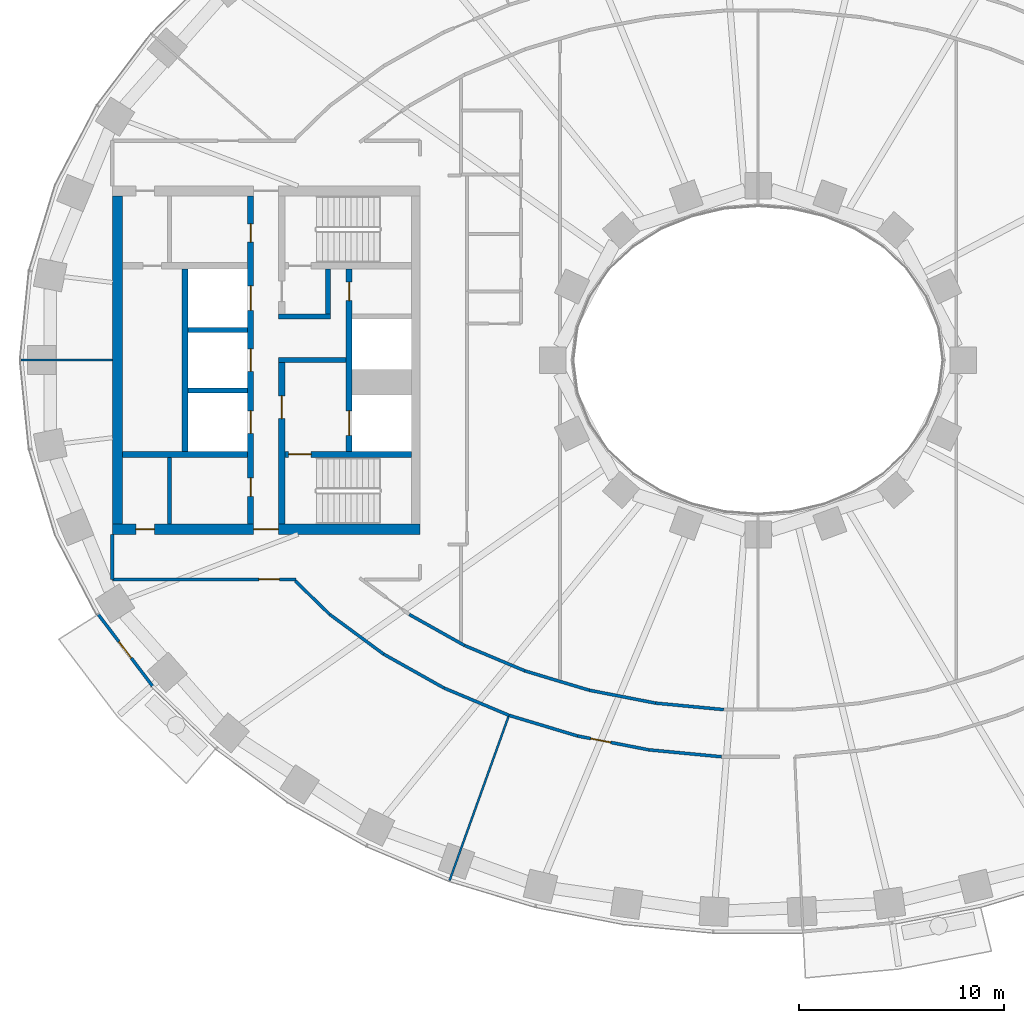
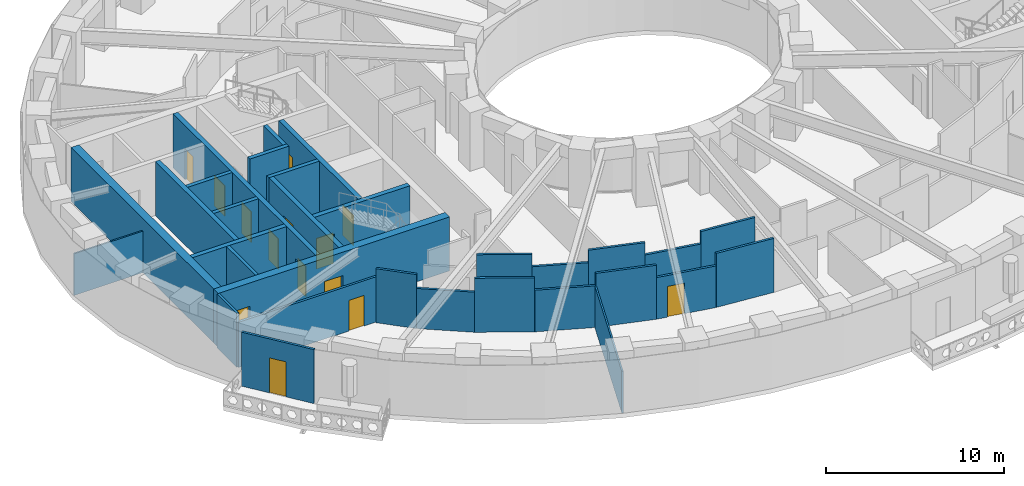
# One storey, part 3 of 16: 31 walls, 14 doors, 14 openings.
"""IFC4 building model written with IfcOpenShell, lengths in metres."""

from ifc_helpers import new_model, si_unit, direction, frame, frame_2d, origin, place, context, subcontext, project, spatial, rectangle, extrude, material, layer, layer_set, type_object, element, fill, save


model = new_model("IFC4")

# Units and contexts
model_context = context("Model", 3, precision=1e-05, world=origin(), true_north=direction((0.0, 1.0)))
body_context = subcontext(model_context, "Body", "Model", "MODEL_VIEW")
ifc_project = project(units=[si_unit("LENGTHUNIT", "METRE"), si_unit("AREAUNIT", "SQUARE_METRE"), si_unit("VOLUMEUNIT", "CUBIC_METRE"), si_unit("PLANEANGLEUNIT", "RADIAN"), si_unit("MASSUNIT", "GRAM", prefix="KILO")], contexts=[model_context])

# Site, building, storey
site_placement = place(None, origin())
site = spatial("IfcSite", under=ifc_project, at=site_placement, CompositionType="ELEMENT")
building_placement = place(site_placement, origin())
building = spatial("IfcBuilding", under=site, at=building_placement, Name="Noorbagh Ring Tower", CompositionType="ELEMENT")
storey_placement = place(building_placement, frame((0.0, 0.0, 78.5)))
storey = spatial("IfcBuildingStorey", under=building, at=storey_placement, Name="L17", CompositionType="ELEMENT", Elevation=78.5)

# Walls
ifc_material_1 = material(Name="Gypsum board on steel studs", Category="steel")
ifc_layer_1 = layer(ifc_material_1, 0.199951171875)
ifc_layer_set_1 = layer_set([ifc_layer_1], Name="Gypsum board on steel studs")
wall_type_1 = type_object("IfcWallType", Name="CORE-PARTITION-200", PredefinedType="PARTITIONING", material=ifc_layer_set_1)
wall_1_placement = place(storey_placement, frame((-28.699951171875, -8.0, 0.0), z_axis=(0.0, 0.0, 1.0), x_axis=(0.0, 1.0, 0.0)))
element("IfcWall", 1, at=wall_1_placement, inside=storey, type_object=wall_type_1, Name="Core partition W", PredefinedType="PARTITIONING", context=body_context, shape_type="SweptSolid", body=[
    extrude(rectangle(XDim=3.25, YDim=0.199951171875, at=frame_2d((1.625, 0.0))), origin(), (0.0, 0.0, 1.0), 3.699951171875),
])
ifc_material_2 = material(Name="Concrete C70/85", Category="concrete")
ifc_layer_2 = layer(ifc_material_2, 0.25)
ifc_layer_set_2 = layer_set([ifc_layer_2], Name="Concrete C70/85")
wall_type_2 = type_object("IfcWallType", Name="CORE-WALL-250-C70-85-EI120", PredefinedType="SHEAR", material=ifc_layer_set_2)
for number, where, z_axis, x_axis, name in (
    (2, (-24.89990234375, -1.47509765625, 0.0), (0.0, 0.0, 1.0), (-1.0, 0.0, 0.0), "Core wall W"),
    (3, (-24.89990234375, 1.47509765625, 0.0), (0.0, 0.0, 1.0), (-1.0, 0.0, 0.0), "Core wall W"),
):
    element("IfcWall", number, at=place(storey_placement, frame(where, z_axis=z_axis, x_axis=x_axis)), inside=storey, type_object=wall_type_2, Name=name, PredefinedType="SHEAR", context=body_context, shape_type="SweptSolid", body=[
        extrude(rectangle(XDim=2.900146484375, YDim=0.25, at=frame_2d((1.4501953125, 0.0))), origin(), (0.0, 0.0, 1.0), 3.699951171875),
    ])
ifc_material_3 = material(Name="Concrete C70/85", Category="concrete")
ifc_layer_3 = layer(ifc_material_3, 0.25)
ifc_layer_set_3 = layer_set([ifc_layer_3], Name="Concrete C70/85")
wall_type_3 = type_object("IfcWallType", Name="CORE-WALL-250-C70-85-EI240", PredefinedType="SHEAR", material=ifc_layer_set_3)
wall_2_placement = place(storey_placement, frame((-20.10009765625, 0.0, 0.0), z_axis=(0.0, 0.0, 1.0), x_axis=(-1.0, 0.0, 0.0)))
element("IfcWall", 4, at=wall_2_placement, inside=storey, type_object=wall_type_3, Name="Core wall W", PredefinedType="SHEAR", context=body_context, shape_type="SweptSolid", body=[
    extrude(rectangle(XDim=3.27978515625, YDim=0.25, at=frame_2d((1.639892578125, 0.0))), origin(), (0.0, 0.0, 1.0), 3.699951171875),
])
wall_3_placement = place(storey_placement, frame((-20.85009765625, 2.125, 0.0), z_axis=(0.0, 0.0, 1.0), x_axis=(-1.0, 0.0, 0.0)))
element("IfcWall", 5, at=wall_3_placement, inside=storey, type_object=wall_type_3, Name="Core wall W", PredefinedType="SHEAR", context=body_context, shape_type="SweptSolid", body=[
    extrude(rectangle(XDim=2.52978515625, YDim=0.25, at=frame_2d((1.264892578125, 0.0))), origin(), (0.0, 0.0, 1.0), 3.699951171875),
])
wall_4_placement = place(storey_placement, frame((-20.97509765625, 2.25, 0.0), z_axis=(0.0, 0.0, 1.0), x_axis=(0.0, 1.0, 0.0)))
element("IfcWall", 6, at=wall_4_placement, inside=storey, type_object=wall_type_3, Name="Core wall W", PredefinedType="SHEAR", context=body_context, shape_type="SweptSolid", body=[
    extrude(rectangle(XDim=2.199951171875, YDim=0.25, at=frame_2d((1.10009765625, 0.0))), origin(), (0.0, 0.0, 1.0), 3.699951171875),
])
ifc_material_4 = material(Name="Concrete C70/85", Category="concrete")
ifc_layer_4 = layer(ifc_material_4, 0.300048828125)
ifc_layer_set_4 = layer_set([ifc_layer_4], Name="Concrete C70/85")
wall_type_4 = type_object("IfcWallType", Name="CORE-WALL-300-C70-85-EI120", PredefinedType="SHEAR", material=ifc_layer_set_4)
wall_5_placement = place(storey_placement, frame((-27.949951171875, -4.449951171875, 0.0), z_axis=(0.0, 0.0, 1.0), x_axis=(0.0, 1.0, 0.0)))
element("IfcWall", 7, at=wall_5_placement, inside=storey, type_object=wall_type_4, Name="Core wall W", PredefinedType="SHEAR", context=body_context, shape_type="SweptSolid", body=[
    extrude(rectangle(XDim=8.89990234375, YDim=0.300048828125, at=frame_2d((4.449951171875, 0.0))), origin(), (0.0, 0.0, 1.0), 3.699951171875),
])

# Wall, openings, doors
wall_6_placement = place(storey_placement, frame((-19.949951171875, -4.449951171875, 0.0), z_axis=(0.0, 0.0, 1.0), x_axis=(0.0, 1.0, 0.0)))
wall_6 = element("IfcWall", 8, at=wall_6_placement, inside=storey, type_object=wall_type_4, Name="Core wall W", PredefinedType="SHEAR", context=body_context, shape_type="SweptSolid", body=[
    extrude(rectangle(XDim=8.89990234375, YDim=0.300048828125, at=frame_2d((4.449951171875, 0.0))), origin(), (0.0, 0.0, 1.0), 3.699951171875),
])
opening_1_placement = place(wall_6_placement, frame((0.77490234375, 0.0, 0.0)))
opening_1 = element("IfcOpeningElement", 9, at=opening_1_placement, cuts=wall_6, Name="Opening L17-CW01", PredefinedType="OPENING", context=body_context, shape_type="SweptSolid", body=[
    extrude(rectangle(XDim=1.199951171875, YDim=2.10009765625, at=frame_2d((0.60009765625, 1.050048828125))), frame((0.0, 0.16015625, 0.0), z_axis=(0.0, -1.0, 0.0), x_axis=(1.0, 0.0, 0.0)), (0.0, 0.0, 1.0), 0.320068359375),
])
opening_2_placement = place(wall_6_placement, frame((7.35009765625, 0.0, 0.0)))
opening_2 = element("IfcOpeningElement", 10, at=opening_2_placement, cuts=wall_6, Name="Opening L17-CW11", PredefinedType="OPENING", context=body_context, shape_type="SweptSolid", body=[
    extrude(rectangle(XDim=0.89990234375, YDim=2.10009765625, at=frame_2d((0.449951171875, 1.050048828125))), frame((0.0, 0.16015625, 0.0), z_axis=(0.0, -1.0, 0.0), x_axis=(1.0, 0.0, 0.0)), (0.0, 0.0, 1.0), 0.320068359375),
])
ifc_material_5 = material(Name="Steel door leaf", Category="steel")
door_type_1 = type_object("IfcDoorType", Name="CORE-DOOR-DROOM", OperationType="SINGLE_SWING_LEFT", PredefinedType="DOOR", material=ifc_material_5)
door_1_placement = place(opening_2_placement, origin())
door_1 = element("IfcDoor", 11, at=door_1_placement, inside=storey, type_object=door_type_1, Name="Core room door L17-CW11", OperationType="SINGLE_SWING_LEFT", OverallHeight=2.10009765625, OverallWidth=0.89990234375, PredefinedType="DOOR", context=body_context, shape_type="SweptSolid", body=[
    extrude(rectangle(XDim=0.89990234375, YDim=2.10009765625, at=frame_2d((0.449951171875, 1.050048828125))), frame((0.0, 0.02490234375, 0.0), z_axis=(0.0, -1.0, 0.0), x_axis=(1.0, 0.0, 0.0)), (0.0, 0.0, 1.0), 0.050048828125),
])
fill(opening_2, door_1)
ifc_material_6 = material(Name="Steel door leaf", Category="steel")
door_type_2 = type_object("IfcDoorType", Name="CORE-DOOR-LDW", OperationType="DOUBLE_DOOR_SLIDING", PredefinedType="DOOR", material=ifc_material_6)
door_2_placement = place(opening_1_placement, origin())
door_2 = element("IfcDoor", 12, at=door_2_placement, inside=storey, type_object=door_type_2, Name="Landing door FF1 L17-CW01", OperationType="DOUBLE_DOOR_SLIDING", OverallHeight=2.10009765625, OverallWidth=1.199951171875, PredefinedType="DOOR", context=body_context, shape_type="SweptSolid", body=[
    extrude(rectangle(XDim=1.199951171875, YDim=2.10009765625, at=frame_2d((0.60009765625, 1.050048828125))), frame((0.0, 0.02490234375, 0.0), z_axis=(0.0, -1.0, 0.0), x_axis=(1.0, 0.0, 0.0)), (0.0, 0.0, 1.0), 0.050048828125),
])
fill(opening_1, door_2)

wall_7_placement = place(storey_placement, frame((-24.75, -8.0, 0.0), z_axis=(0.0, 0.0, 1.0), x_axis=(0.0, 1.0, 0.0)))
wall_7 = element("IfcWall", 13, at=wall_7_placement, inside=storey, type_object=wall_type_4, Name="Core wall W", PredefinedType="SHEAR", context=body_context, shape_type="SweptSolid", body=[
    extrude(rectangle(XDim=16.0, YDim=0.300048828125, at=frame_2d((8.0, 0.0))), origin(), (0.0, 0.0, 1.0), 3.699951171875),
])
opening_3_placement = place(wall_7_placement, frame((4.425048828125, 0.0, 0.0)))
opening_3 = element("IfcOpeningElement", 14, at=opening_3_placement, cuts=wall_7, Name="Opening L17-CW02", PredefinedType="OPENING", context=body_context, shape_type="SweptSolid", body=[
    extrude(rectangle(XDim=1.10009765625, YDim=2.10009765625, at=frame_2d((0.550048828125, 1.050048828125))), frame((0.0, 0.16015625, 0.0), z_axis=(0.0, -1.0, 0.0), x_axis=(1.0, 0.0, 0.0)), (0.0, 0.0, 1.0), 0.320068359375),
])
opening_4_placement = place(wall_7_placement, frame((7.449951171875, 0.0, 0.0)))
opening_4 = element("IfcOpeningElement", 15, at=opening_4_placement, cuts=wall_7, Name="Opening L17-CW03", PredefinedType="OPENING", context=body_context, shape_type="SweptSolid", body=[
    extrude(rectangle(XDim=1.10009765625, YDim=2.10009765625, at=frame_2d((0.550048828125, 1.050048828125))), frame((0.0, 0.16015625, 0.0), z_axis=(0.0, -1.0, 0.0), x_axis=(1.0, 0.0, 0.0)), (0.0, 0.0, 1.0), 0.320068359375),
])
opening_5_placement = place(wall_7_placement, frame((10.425048828125, 0.0, 0.0)))
opening_5 = element("IfcOpeningElement", 16, at=opening_5_placement, cuts=wall_7, Name="Opening L17-CW04", PredefinedType="OPENING", context=body_context, shape_type="SweptSolid", body=[
    extrude(rectangle(XDim=1.199951171875, YDim=2.10009765625, at=frame_2d((0.60009765625, 1.050048828125))), frame((0.0, 0.16015625, 0.0), z_axis=(0.0, -1.0, 0.0), x_axis=(1.0, 0.0, 0.0)), (0.0, 0.0, 1.0), 0.320068359375),
])
opening_6_placement = place(wall_7_placement, frame((13.75, 0.0, 0.0)))
opening_6 = element("IfcOpeningElement", 17, at=opening_6_placement, cuts=wall_7, Name="Opening L17-CW12", PredefinedType="OPENING", context=body_context, shape_type="SweptSolid", body=[
    extrude(rectangle(XDim=0.89990234375, YDim=2.10009765625, at=frame_2d((0.449951171875, 1.050048828125))), frame((0.0, 0.16015625, 0.0), z_axis=(0.0, -1.0, 0.0), x_axis=(1.0, 0.0, 0.0)), (0.0, 0.0, 1.0), 0.320068359375),
])
opening_7_placement = place(wall_7_placement, frame((1.35009765625, 0.0, 0.0)))
opening_7 = element("IfcOpeningElement", 18, at=opening_7_placement, cuts=wall_7, Name="Opening L17-CW14", PredefinedType="OPENING", context=body_context, shape_type="SweptSolid", body=[
    extrude(rectangle(XDim=0.89990234375, YDim=2.10009765625, at=frame_2d((0.449951171875, 1.050048828125))), frame((0.0, 0.16015625, 0.0), z_axis=(0.0, -1.0, 0.0), x_axis=(1.0, 0.0, 0.0)), (0.0, 0.0, 1.0), 0.320068359375),
])
door_3_placement = place(opening_6_placement, origin())
door_3 = element("IfcDoor", 19, at=door_3_placement, inside=storey, type_object=door_type_1, Name="Core room door L17-CW12", OperationType="SINGLE_SWING_RIGHT", OverallHeight=2.10009765625, OverallWidth=0.89990234375, PredefinedType="DOOR", context=body_context, shape_type="SweptSolid", body=[
    extrude(rectangle(XDim=0.89990234375, YDim=2.10009765625, at=frame_2d((0.449951171875, 1.050048828125))), frame((0.0, 0.02490234375, 0.0), z_axis=(0.0, -1.0, 0.0), x_axis=(1.0, 0.0, 0.0)), (0.0, 0.0, 1.0), 0.050048828125),
])
fill(opening_6, door_3)
door_4_placement = place(opening_7_placement, origin())
door_4 = element("IfcDoor", 20, at=door_4_placement, inside=storey, type_object=door_type_1, Name="Core room door L17-CW14", OperationType="SINGLE_SWING_LEFT", OverallHeight=2.10009765625, OverallWidth=0.89990234375, PredefinedType="DOOR", context=body_context, shape_type="SweptSolid", body=[
    extrude(rectangle(XDim=0.89990234375, YDim=2.10009765625, at=frame_2d((0.449951171875, 1.050048828125))), frame((0.0, 0.02490234375, 0.0), z_axis=(0.0, -1.0, 0.0), x_axis=(1.0, 0.0, 0.0)), (0.0, 0.0, 1.0), 0.050048828125),
])
fill(opening_7, door_4)
ifc_material_7 = material(Name="Steel door leaf", Category="steel")
door_type_3 = type_object("IfcDoorType", Name="CORE-DOOR-LD", OperationType="DOUBLE_DOOR_SLIDING", PredefinedType="DOOR", material=ifc_material_7)
door_5_placement = place(opening_3_placement, origin())
door_5 = element("IfcDoor", 21, at=door_5_placement, inside=storey, type_object=door_type_3, Name="Landing door LR1 L17-CW02", OperationType="DOUBLE_DOOR_SLIDING", OverallHeight=2.10009765625, OverallWidth=1.10009765625, PredefinedType="DOOR", context=body_context, shape_type="SweptSolid", body=[
    extrude(rectangle(XDim=1.10009765625, YDim=2.10009765625, at=frame_2d((0.550048828125, 1.050048828125))), frame((0.0, 0.02490234375, 0.0), z_axis=(0.0, -1.0, 0.0), x_axis=(1.0, 0.0, 0.0)), (0.0, 0.0, 1.0), 0.050048828125),
])
fill(opening_3, door_5)
door_6_placement = place(opening_4_placement, origin())
door_6 = element("IfcDoor", 22, at=door_6_placement, inside=storey, type_object=door_type_3, Name="Landing door LR2 L17-CW03", OperationType="DOUBLE_DOOR_SLIDING", OverallHeight=2.10009765625, OverallWidth=1.10009765625, PredefinedType="DOOR", context=body_context, shape_type="SweptSolid", body=[
    extrude(rectangle(XDim=1.10009765625, YDim=2.10009765625, at=frame_2d((0.550048828125, 1.050048828125))), frame((0.0, 0.02490234375, 0.0), z_axis=(0.0, -1.0, 0.0), x_axis=(1.0, 0.0, 0.0)), (0.0, 0.0, 1.0), 0.050048828125),
])
fill(opening_4, door_6)
door_7_placement = place(opening_5_placement, origin())
door_7 = element("IfcDoor", 23, at=door_7_placement, inside=storey, type_object=door_type_2, Name="Landing door SV1 L17-CW04", OperationType="DOUBLE_DOOR_SLIDING", OverallHeight=2.10009765625, OverallWidth=1.199951171875, PredefinedType="DOOR", context=body_context, shape_type="SweptSolid", body=[
    extrude(rectangle(XDim=1.199951171875, YDim=2.10009765625, at=frame_2d((0.60009765625, 1.050048828125))), frame((0.0, 0.02490234375, 0.0), z_axis=(0.0, -1.0, 0.0), x_axis=(1.0, 0.0, 0.0)), (0.0, 0.0, 1.0), 0.050048828125),
])
fill(opening_5, door_7)

# Wall
ifc_material_8 = material(Name="Concrete C70/85", Category="concrete")
ifc_layer_5 = layer(ifc_material_8, 0.300048828125)
ifc_layer_set_5 = layer_set([ifc_layer_5], Name="Concrete C70/85")
wall_type_5 = type_object("IfcWallType", Name="CORE-WALL-300-C70-85-EI240", PredefinedType="SHEAR", material=ifc_layer_set_5)
wall_8_placement = place(storey_placement, frame((-24.89990234375, -4.60009765625, 0.0), z_axis=(0.0, 0.0, 1.0), x_axis=(-1.0, 0.0, 0.0)))
element("IfcWall", 24, at=wall_8_placement, inside=storey, type_object=wall_type_5, Name="Core wall W", PredefinedType="SHEAR", context=body_context, shape_type="SweptSolid", body=[
    extrude(rectangle(XDim=6.10009765625, YDim=0.300048828125, at=frame_2d((3.050048828125, 0.0))), origin(), (0.0, 0.0, 1.0), 3.699951171875),
])

# Wall, opening, door
wall_9_placement = place(storey_placement, frame((-23.22998046875, -8.0, 0.0), z_axis=(0.0, 0.0, 1.0), x_axis=(0.0, 1.0, 0.0)))
wall_9 = element("IfcWall", 25, at=wall_9_placement, inside=storey, type_object=wall_type_5, Name="Core wall W", PredefinedType="SHEAR", context=body_context, shape_type="SweptSolid", body=[
    extrude(rectangle(XDim=7.875, YDim=0.300048828125, at=frame_2d((3.9375, 0.0))), origin(), (0.0, 0.0, 1.0), 3.699951171875),
])
opening_8_placement = place(wall_9_placement, frame((5.14990234375, 0.0, 0.0)))
opening_8 = element("IfcOpeningElement", 26, at=opening_8_placement, cuts=wall_9, Name="Opening L17-CW07", PredefinedType="OPENING", context=body_context, shape_type="SweptSolid", body=[
    extrude(rectangle(XDim=1.10009765625, YDim=2.10009765625, at=frame_2d((0.550048828125, 1.050048828125))), frame((0.0, 0.16015625, 0.0), z_axis=(0.0, -1.0, 0.0), x_axis=(1.0, 0.0, 0.0)), (0.0, 0.0, 1.0), 0.320068359375),
])
ifc_material_9 = material(Name="Steel door leaf", Category="steel")
door_type_4 = type_object("IfcDoorType", Name="CORE-DOOR-DFF", OperationType="SINGLE_SWING_LEFT", PredefinedType="DOOR", material=ifc_material_9)
door_8_placement = place(opening_8_placement, origin())
door_8 = element("IfcDoor", 27, at=door_8_placement, inside=storey, type_object=door_type_4, Name="Firefighting lobby door L17-CW07", OperationType="SINGLE_SWING_LEFT", OverallHeight=2.10009765625, OverallWidth=1.10009765625, PredefinedType="DOOR", context=body_context, shape_type="SweptSolid", body=[
    extrude(rectangle(XDim=1.10009765625, YDim=2.10009765625, at=frame_2d((0.550048828125, 1.050048828125))), frame((0.0, 0.02490234375, 0.0), z_axis=(0.0, -1.0, 0.0), x_axis=(1.0, 0.0, 0.0)), (0.0, 0.0, 1.0), 0.050048828125),
])
fill(opening_8, door_8)

wall_10_placement = place(storey_placement, frame((-16.89990234375, -4.60009765625, 0.0), z_axis=(0.0, 0.0, 1.0), x_axis=(-1.0, 0.0, 0.0)))
wall_10 = element("IfcWall", 28, at=wall_10_placement, inside=storey, type_object=wall_type_5, Name="Core wall W", PredefinedType="SHEAR", context=body_context, shape_type="SweptSolid", body=[
    extrude(rectangle(XDim=6.18017578125, YDim=0.300048828125, at=frame_2d((3.090087890625, 0.0))), origin(), (0.0, 0.0, 1.0), 3.699951171875),
])
opening_9_placement = place(wall_10_placement, frame((4.89990234375, 0.0, 0.0)))
opening_9 = element("IfcOpeningElement", 29, at=opening_9_placement, cuts=wall_10, Name="Opening L17-CW06", PredefinedType="OPENING", context=body_context, shape_type="SweptSolid", body=[
    extrude(rectangle(XDim=1.10009765625, YDim=2.10009765625, at=frame_2d((0.550048828125, 1.050048828125))), frame((0.0, 0.16015625, 0.0), z_axis=(0.0, -1.0, 0.0), x_axis=(1.0, 0.0, 0.0)), (0.0, 0.0, 1.0), 0.320068359375),
])
ifc_material_10 = material(Name="Steel door leaf", Category="steel")
door_type_5 = type_object("IfcDoorType", Name="CORE-DOOR-DSTAIR", OperationType="SINGLE_SWING_LEFT", PredefinedType="DOOR", material=ifc_material_10)
door_9_placement = place(opening_9_placement, origin())
door_9 = element("IfcDoor", 30, at=door_9_placement, inside=storey, type_object=door_type_5, Name="Stair door ST2 L17-CW06", OperationType="SINGLE_SWING_LEFT", OverallHeight=2.10009765625, OverallWidth=1.10009765625, PredefinedType="DOOR", context=body_context, shape_type="SweptSolid", body=[
    extrude(rectangle(XDim=1.10009765625, YDim=2.10009765625, at=frame_2d((0.550048828125, 1.050048828125))), frame((0.0, 0.02490234375, 0.0), z_axis=(0.0, -1.0, 0.0), x_axis=(1.0, 0.0, 0.0)), (0.0, 0.0, 1.0), 0.050048828125),
])
fill(opening_9, door_9)

# Wall, openings, doors
ifc_material_11 = material(Name="Concrete C70/85", Category="concrete")
ifc_layer_6 = layer(ifc_material_11, 0.5)
ifc_layer_set_6 = layer_set([ifc_layer_6], Name="Concrete C70/85")
wall_type_6 = type_object("IfcWallType", Name="CORE-WALL-500-C70-85-EI240", PredefinedType="SHEAR", material=ifc_layer_set_6)
wall_11_placement = place(storey_placement, frame((-16.5, -8.25, 0.0), z_axis=(0.0, 0.0, 1.0), x_axis=(-1.0, 0.0, 0.0)))
wall_11 = element("IfcWall", 31, at=wall_11_placement, inside=storey, type_object=wall_type_6, Name="Core wall W", PredefinedType="SHEAR", context=body_context, shape_type="SweptSolid", body=[
    extrude(rectangle(XDim=15.0, YDim=0.5, at=frame_2d((7.5, 0.0))), origin(), (0.0, 0.0, 1.0), 3.699951171875),
])
opening_10_placement = place(wall_11_placement, frame((6.89990234375, 0.0, 0.0)))
opening_10 = element("IfcOpeningElement", 32, at=opening_10_placement, cuts=wall_11, Name="Opening L17-CW10", PredefinedType="OPENING", context=body_context, shape_type="SweptSolid", body=[
    extrude(rectangle(XDim=1.199951171875, YDim=2.10009765625, at=frame_2d((0.60009765625, 1.050048828125))), frame((0.0, 0.260009765625, 0.0), z_axis=(0.0, -1.0, 0.0), x_axis=(1.0, 0.0, 0.0)), (0.0, 0.0, 1.0), 0.52001953125),
])
opening_11_placement = place(wall_11_placement, frame((12.949951171875, 0.0, 0.0)))
opening_11 = element("IfcOpeningElement", 33, at=opening_11_placement, cuts=wall_11, Name="Opening L17-CW15", PredefinedType="OPENING", context=body_context, shape_type="SweptSolid", body=[
    extrude(rectangle(XDim=0.89990234375, YDim=2.10009765625, at=frame_2d((0.449951171875, 1.050048828125))), frame((0.0, 0.260009765625, 0.0), z_axis=(0.0, -1.0, 0.0), x_axis=(1.0, 0.0, 0.0)), (0.0, 0.0, 1.0), 0.52001953125),
])
door_10_placement = place(opening_11_placement, origin())
door_10 = element("IfcDoor", 34, at=door_10_placement, inside=storey, type_object=door_type_1, Name="Core room door L17-CW15", OperationType="SINGLE_SWING_LEFT", OverallHeight=2.10009765625, OverallWidth=0.89990234375, PredefinedType="DOOR", context=body_context, shape_type="SweptSolid", body=[
    extrude(rectangle(XDim=0.89990234375, YDim=2.10009765625, at=frame_2d((0.449951171875, 1.050048828125))), frame((0.0, 0.02490234375, 0.0), z_axis=(0.0, -1.0, 0.0), x_axis=(1.0, 0.0, 0.0)), (0.0, 0.0, 1.0), 0.050048828125),
])
fill(opening_11, door_10)
ifc_material_12 = material(Name="Steel door leaf", Category="steel")
door_type_6 = type_object("IfcDoorType", Name="CORE-DOOR-PORT", OperationType="DOUBLE_DOOR_DOUBLE_SWING", PredefinedType="DOOR", material=ifc_material_12)
door_11_placement = place(opening_10_placement, origin())
door_11 = element("IfcDoor", 35, at=door_11_placement, inside=storey, type_object=door_type_6, Name="Core entrance door L17-CW10", OperationType="DOUBLE_DOOR_DOUBLE_SWING", OverallHeight=2.10009765625, OverallWidth=1.199951171875, PredefinedType="DOOR", context=body_context, shape_type="SweptSolid", body=[
    extrude(rectangle(XDim=1.199951171875, YDim=2.10009765625, at=frame_2d((0.60009765625, 1.050048828125))), frame((0.0, 0.02490234375, 0.0), z_axis=(0.0, -1.0, 0.0), x_axis=(1.0, 0.0, 0.0)), (0.0, 0.0, 1.0), 0.050048828125),
])
fill(opening_10, door_11)

# Walls
wall_12_placement = place(storey_placement, frame((-31.25, -8.0, 0.0), z_axis=(0.0, 0.0, 1.0), x_axis=(0.0, 1.0, 0.0)))
element("IfcWall", 36, at=wall_12_placement, inside=storey, type_object=wall_type_6, Name="Core wall W", PredefinedType="SHEAR", context=body_context, shape_type="SweptSolid", body=[
    extrude(rectangle(XDim=16.0, YDim=0.5, at=frame_2d((8.0, 0.0))), origin(), (0.0, 0.0, 1.0), 3.699951171875),
])
ifc_material_13 = material(Name="Gypsum board on steel studs", Category="steel")
ifc_layer_7 = layer(ifc_material_13, 0.14990234375)
ifc_layer_set_7 = layer_set([ifc_layer_7], Name="Gypsum board on steel studs")
wall_type_7 = type_object("IfcWallType", Name="CORRIDOR PARTITION 150 EI 30", PredefinedType="PARTITIONING", material=ifc_layer_set_7)
wall_13_placement = place(storey_placement, frame((-31.5, -10.699951171875, 0.0), z_axis=(0.0, 0.0, 1.0), x_axis=(0.0, 1.0, 0.0)))
element("IfcWall", 37, at=wall_13_placement, inside=storey, type_object=wall_type_7, Name="L17/wall/P02", PredefinedType="PARTITIONING", context=body_context, shape_type="SweptSolid", body=[
    extrude(rectangle(XDim=2.199951171875, YDim=0.14990234375, at=frame_2d((1.10009765625, 0.0))), origin(), (0.0, 0.0, 1.0), 3.699951171875),
])

# Wall, opening, door
wall_14_placement = place(storey_placement, frame((-31.5, -10.699951171875, 0.0), z_axis=(0.0, 0.0, 1.0), x_axis=(1.0, 0.0, 0.0)))
wall_14 = element("IfcWall", 38, at=wall_14_placement, inside=storey, type_object=wall_type_7, Name="L17/wall/P03", PredefinedType="PARTITIONING", context=body_context, shape_type="SweptSolid", body=[
    extrude(rectangle(XDim=8.9609375, YDim=0.14990234375, at=frame_2d((4.48046875, 0.0))), origin(), (0.0, 0.0, 1.0), 3.10009765625),
])
opening_12_placement = place(wall_14_placement, frame((7.14990234375, 0.0, 0.0)))
opening_12 = element("IfcOpeningElement", 39, at=opening_12_placement, cuts=wall_14, Name="Opening D1", PredefinedType="OPENING", context=body_context, shape_type="SweptSolid", body=[
    extrude(rectangle(XDim=1.0, YDim=2.10009765625, at=frame_2d((0.5, 1.050048828125))), frame((0.0, 0.0849609375, 0.0), z_axis=(0.0, -1.0, 0.0), x_axis=(1.0, 0.0, 0.0)), (0.0, 0.0, 1.0), 0.169921875),
])
ifc_material_14 = material(Name="Timber, painted", Category="wood")
door_type_7 = type_object("IfcDoorType", Name="DOOR 1000 X 2100 FD30", OperationType="SINGLE_SWING_LEFT", PredefinedType="DOOR", material=ifc_material_14)
door_12_placement = place(opening_12_placement, origin())
door_12 = element("IfcDoor", 40, at=door_12_placement, inside=storey, type_object=door_type_7, Name="L17-D06", OperationType="SINGLE_SWING_RIGHT", OverallHeight=2.10009765625, OverallWidth=1.0, PredefinedType="DOOR", context=body_context, shape_type="SweptSolid", body=[
    extrude(rectangle(XDim=1.0, YDim=2.10009765625, at=frame_2d((0.5, 1.050048828125))), frame((0.0, 0.02490234375, 0.0), z_axis=(0.0, -1.0, 0.0), x_axis=(1.0, 0.0, 0.0)), (0.0, 0.0, 1.0), 0.050048828125),
])
fill(opening_12, door_12)

# Walls
wall_15_placement = place(storey_placement, frame((-22.570068359375, -10.77490234375, 0.0), z_axis=(0.0, 0.0, 1.0), x_axis=(0.717045582263, -0.697026278527, 0.0)))
element("IfcWall", 41, at=wall_15_placement, inside=storey, type_object=wall_type_7, Name="L17/wall/P07", PredefinedType="PARTITIONING", context=body_context, shape_type="SweptSolid", body=[
    extrude(rectangle(XDim=2.341552734375, YDim=0.14990234375, at=frame_2d((1.1708984375, 0.0))), origin(), (0.0, 0.0, 1.0), 3.699951171875),
])
wall_16_placement = place(storey_placement, frame((-20.89111328125, -12.406982421875, 0.0), z_axis=(0.0, 0.0, 1.0), x_axis=(0.805303685339, -0.592862525701, 0.0)))
element("IfcWall", 42, at=wall_16_placement, inside=storey, type_object=wall_type_7, Name="L17/wall/P09", PredefinedType="PARTITIONING", context=body_context, shape_type="SweptSolid", body=[
    extrude(rectangle(XDim=3.267333984375, YDim=0.14990234375, at=frame_2d((1.6337890625, 0.0))), origin(), (0.0, 0.0, 1.0), 2.75),
])
wall_17_placement = place(storey_placement, frame((-18.260009765625, -14.343994140625, 0.0), z_axis=(0.0, 0.0, 1.0), x_axis=(0.871958798398, -0.489579262118, 0.0)))
element("IfcWall", 43, at=wall_17_placement, inside=storey, type_object=wall_type_7, Name="L17/wall/P15", PredefinedType="PARTITIONING", context=body_context, shape_type="SweptSolid", body=[
    extrude(rectangle(XDim=3.365966796875, YDim=0.14990234375, at=frame_2d((1.68310546875, 0.0))), origin(), (0.0, 0.0, 1.0), 3.699951171875),
])
wall_18_placement = place(storey_placement, frame((-17.010009765625, -12.407958984375, 0.0), z_axis=(0.0, 0.0, 1.0), x_axis=(0.871977874087, -0.489545286059, 0.0)))
element("IfcWall", 44, at=wall_18_placement, inside=storey, type_object=wall_type_7, Name="L17/wall/P17", PredefinedType="PARTITIONING", context=body_context, shape_type="SweptSolid", body=[
    extrude(rectangle(XDim=3.093017578125, YDim=0.14990234375, at=frame_2d((1.54638671875, 0.0))), origin(), (0.0, 0.0, 1.0), 3.699951171875),
])
wall_19_placement = place(storey_placement, frame((-15.324951171875, -15.991943359375, 0.0), z_axis=(0.0, 0.0, 1.0), x_axis=(0.921891448612, -0.387448263612, 0.0)))
element("IfcWall", 45, at=wall_19_placement, inside=storey, type_object=wall_type_7, Name="L17/wall/P21", PredefinedType="PARTITIONING", context=body_context, shape_type="SweptSolid", body=[
    extrude(rectangle(XDim=3.443115234375, YDim=0.14990234375, at=frame_2d((1.7216796875, 0.0))), origin(), (0.0, 0.0, 1.0), 2.85009765625),
])
wall_20_placement = place(storey_placement, frame((-14.31298828125, -13.922119140625, 0.0), z_axis=(0.0, 0.0, 1.0), x_axis=(0.921799502591, -0.387666966638, 0.0)))
element("IfcWall", 46, at=wall_20_placement, inside=storey, type_object=wall_type_7, Name="L17/wall/P31", PredefinedType="PARTITIONING", context=body_context, shape_type="SweptSolid", body=[
    extrude(rectangle(XDim=3.1904296875, YDim=0.14990234375, at=frame_2d((1.59521484375, 0.0))), origin(), (0.0, 0.0, 1.0), 2.85009765625),
])
wall_21_placement = place(storey_placement, frame((-12.15087890625, -17.325927734375, 0.0), z_axis=(0.0, 0.0, 1.0), x_axis=(0.957528149021, -0.288339806186, 0.0)))
element("IfcWall", 47, at=wall_21_placement, inside=storey, type_object=wall_type_7, Name="L17/wall/P39", PredefinedType="PARTITIONING", context=body_context, shape_type="SweptSolid", body=[
    extrude(rectangle(XDim=3.49951171875, YDim=0.14990234375, at=frame_2d((1.749755859375, 0.0))), origin(), (0.0, 0.0, 1.0), 3.699951171875),
])
wall_22_placement = place(storey_placement, frame((-11.3720703125, -15.158935546875, 0.0), z_axis=(0.0, 0.0, 1.0), x_axis=(0.95757464185, -0.28818536619, 0.0)))
element("IfcWall", 48, at=wall_22_placement, inside=storey, type_object=wall_type_7, Name="L17/wall/P43", PredefinedType="PARTITIONING", context=body_context, shape_type="SweptSolid", body=[
    extrude(rectangle(XDim=3.262451171875, YDim=0.14990234375, at=frame_2d((1.63134765625, 0.0))), origin(), (0.0, 0.0, 1.0), 3.699951171875),
])

# Wall, opening, door
wall_23_placement = place(storey_placement, frame((-8.800048828125, -18.3349609375, 0.0), z_axis=(0.0, 0.0, 1.0), x_axis=(0.981620418387, -0.190843795306, 0.0)))
wall_23 = element("IfcWall", 49, at=wall_23_placement, inside=storey, type_object=wall_type_7, Name="L17/wall/P46", PredefinedType="PARTITIONING", context=body_context, shape_type="SweptSolid", body=[
    extrude(rectangle(XDim=3.537109375, YDim=0.14990234375, at=frame_2d((1.7685546875, 0.0))), origin(), (0.0, 0.0, 1.0), 2.85009765625),
])
opening_13_placement = place(wall_23_placement, frame((0.64990234375, 0.0, 0.0)))
opening_13 = element("IfcOpeningElement", 50, at=opening_13_placement, cuts=wall_23, Name="Opening D1", PredefinedType="OPENING", context=body_context, shape_type="SweptSolid", body=[
    extrude(rectangle(XDim=1.0, YDim=2.10009765625, at=frame_2d((0.5, 1.050048828125))), frame((0.0, 0.0849609375, 0.0), z_axis=(0.0, -1.0, 0.0), x_axis=(1.0, 0.0, 0.0)), (0.0, 0.0, 1.0), 0.169921875),
])
door_13_placement = place(opening_13_placement, origin())
door_13 = element("IfcDoor", 51, at=door_13_placement, inside=storey, type_object=door_type_7, Name="L17-D09", OperationType="SINGLE_SWING_LEFT", OverallHeight=2.10009765625, OverallWidth=1.0, PredefinedType="DOOR", context=body_context, shape_type="SweptSolid", body=[
    extrude(rectangle(XDim=1.0, YDim=2.10009765625, at=frame_2d((0.5, 1.050048828125))), frame((0.0, 0.02490234375, 0.0), z_axis=(0.0, -1.0, 0.0), x_axis=(1.0, 0.0, 0.0)), (0.0, 0.0, 1.0), 0.050048828125),
])
fill(opening_13, door_13)

# Walls
wall_24_placement = place(storey_placement, frame((-8.248046875, -16.09912109375, 0.0), z_axis=(0.0, 0.0, 1.0), x_axis=(0.981621529558, -0.190838079815, 0.0)))
element("IfcWall", 52, at=wall_24_placement, inside=storey, type_object=wall_type_7, Name="L17/wall/P48", PredefinedType="PARTITIONING", context=body_context, shape_type="SweptSolid", body=[
    extrude(rectangle(XDim=3.310791015625, YDim=0.14990234375, at=frame_2d((1.6552734375, 0.0))), origin(), (0.0, 0.0, 1.0), 2.85009765625),
])
wall_25_placement = place(storey_placement, frame((-5.327880859375, -19.010009765625, 0.0), z_axis=(0.0, 0.0, 1.0), x_axis=(0.995485604231, -0.094912653366, 0.0)))
element("IfcWall", 53, at=wall_25_placement, inside=storey, type_object=wall_type_7, Name="L17/wall/P50", PredefinedType="PARTITIONING", context=body_context, shape_type="SweptSolid", body=[
    extrude(rectangle(XDim=3.56005859375, YDim=0.14990234375, at=frame_2d((1.780029296875, 0.0))), origin(), (0.0, 0.0, 1.0), 3.699951171875),
])
wall_26_placement = place(storey_placement, frame((-4.998046875, -16.73095703125, 0.0), z_axis=(0.0, 0.0, 1.0), x_axis=(0.995479356205, -0.094978162593, 0.0)))
element("IfcWall", 54, at=wall_26_placement, inside=storey, type_object=wall_type_7, Name="L17/wall/P52", PredefinedType="PARTITIONING", context=body_context, shape_type="SweptSolid", body=[
    extrude(rectangle(XDim=3.339111328125, YDim=0.14990234375, at=frame_2d((1.66943359375, 0.0))), origin(), (0.0, 0.0, 1.0), 3.699951171875),
])

# Wall, opening, door
ifc_material_15 = material(Name="Insulated aluminium clad panel", Category="aluminium")
ifc_layer_8 = layer(ifc_material_15, 0.14990234375)
ifc_layer_set_8 = layer_set([ifc_layer_8], Name="Insulated aluminium clad panel")
wall_type_8 = type_object("IfcWallType", Name="ENV-WALL-DOOR", PredefinedType="STANDARD", material=ifc_layer_set_8)
wall_27_placement = place(storey_placement, frame((-32.20751953125, -12.37353515625, 0.0), z_axis=(0.0, 0.0, 1.0), x_axis=(0.604045763106, -0.796949632081, 0.0)))
wall_27 = element("IfcWall", 55, at=wall_27_placement, inside=storey, type_object=wall_type_8, Name="Balcony door wall chord 27", PredefinedType="STANDARD", context=body_context, shape_type="SweptSolid", body=[
    extrude(rectangle(XDim=4.42333984375, YDim=0.14990234375, at=frame_2d((2.211669921875, 0.0))), origin(), (0.0, 0.0, 1.0), 3.699951171875),
])
opening_14_placement = place(wall_27_placement, frame((1.711669921875, 0.0, 0.0)))
opening_14 = element("IfcOpeningElement", 56, at=opening_14_placement, cuts=wall_27, Name="Opening D-BL", PredefinedType="OPENING", context=body_context, shape_type="SweptSolid", body=[
    extrude(rectangle(XDim=1.0, YDim=2.39990234375, at=frame_2d((0.5, 1.199951171875))), frame((0.0, 0.0849609375, 0.0), z_axis=(0.0, -1.0, 0.0), x_axis=(1.0, 0.0, 0.0)), (0.0, 0.0, 1.0), 0.169921875),
])
ifc_material_16 = material(Name="Aluminium and glass", Category="aluminium")
door_type_8 = type_object("IfcDoorType", Name="ENV-DOOR-BALCONY", OperationType="SINGLE_SWING_LEFT", PredefinedType="DOOR", material=ifc_material_16)
door_14_placement = place(opening_14_placement, origin())
door_14 = element("IfcDoor", 57, at=door_14_placement, inside=storey, type_object=door_type_8, Name="Balcony door chord 27", OperationType="SINGLE_SWING_RIGHT", OverallHeight=2.39990234375, OverallWidth=1.0, PredefinedType="DOOR", context=body_context, shape_type="SweptSolid", body=[
    extrude(rectangle(XDim=1.0, YDim=2.39990234375, at=frame_2d((0.5, 1.199951171875))), frame((0.0, 0.02490234375, 0.0), z_axis=(0.0, -1.0, 0.0), x_axis=(1.0, 0.0, 0.0)), (0.0, 0.0, 1.0), 0.050048828125),
])
fill(opening_14, door_14)

# Walls
ifc_material_17 = material(Name="Gypsum board on steel studs", Category="steel")
ifc_layer_9 = layer(ifc_material_17, 0.10009765625)
ifc_layer_set_9 = layer_set([ifc_layer_9], Name="Gypsum board on steel studs")
wall_type_9 = type_object("IfcWallType", Name="PARTITION 100 GYPSUM", PredefinedType="PARTITIONING", material=ifc_layer_set_9)
wall_28_placement = place(storey_placement, frame((-35.948974609375, 0.0, 0.0), z_axis=(0.0, 0.0, 1.0), x_axis=(1.0, 0.0, 0.0)))
element("IfcWall", 58, at=wall_28_placement, inside=storey, type_object=wall_type_9, Name="L17/wall/P01", PredefinedType="PARTITIONING", context=body_context, shape_type="SweptSolid", body=[
    extrude(rectangle(XDim=4.448974609375, YDim=0.10009765625, at=frame_2d((2.224609375, 0.0))), origin(), (0.0, 0.0, 1.0), 2.85009765625),
])
wall_29_placement = place(storey_placement, frame((-15.048095703125, -25.383056640625, 0.0), z_axis=(0.0, 0.0, 1.0), x_axis=(0.338300183564, 0.941038248851, 0.0)))
element("IfcWall", 59, at=wall_29_placement, inside=storey, type_object=wall_type_9, Name="L17/wall/P25", PredefinedType="PARTITIONING", context=body_context, shape_type="SweptSolid", body=[
    extrude(rectangle(XDim=8.5576171875, YDim=0.10009765625, at=frame_2d((4.27880859375, 0.0))), origin(), (0.0, 0.0, 1.0), 2.85009765625),
])

save(model, "model.ifc")
